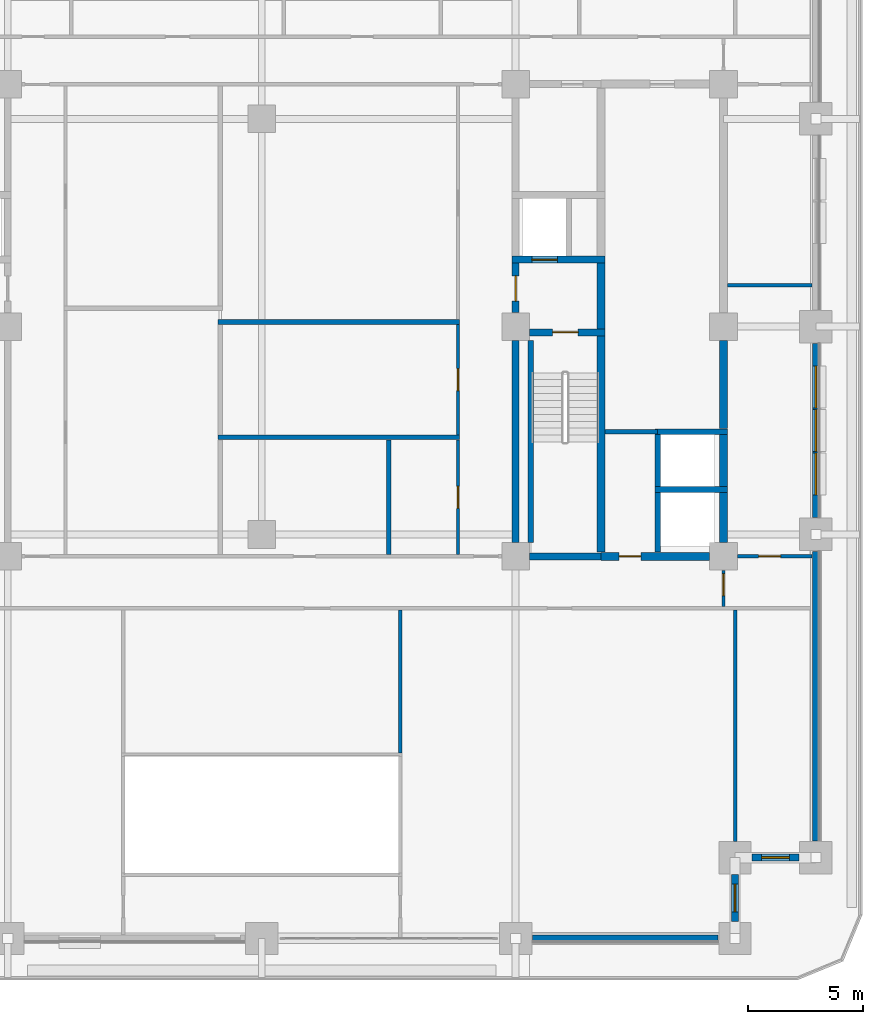
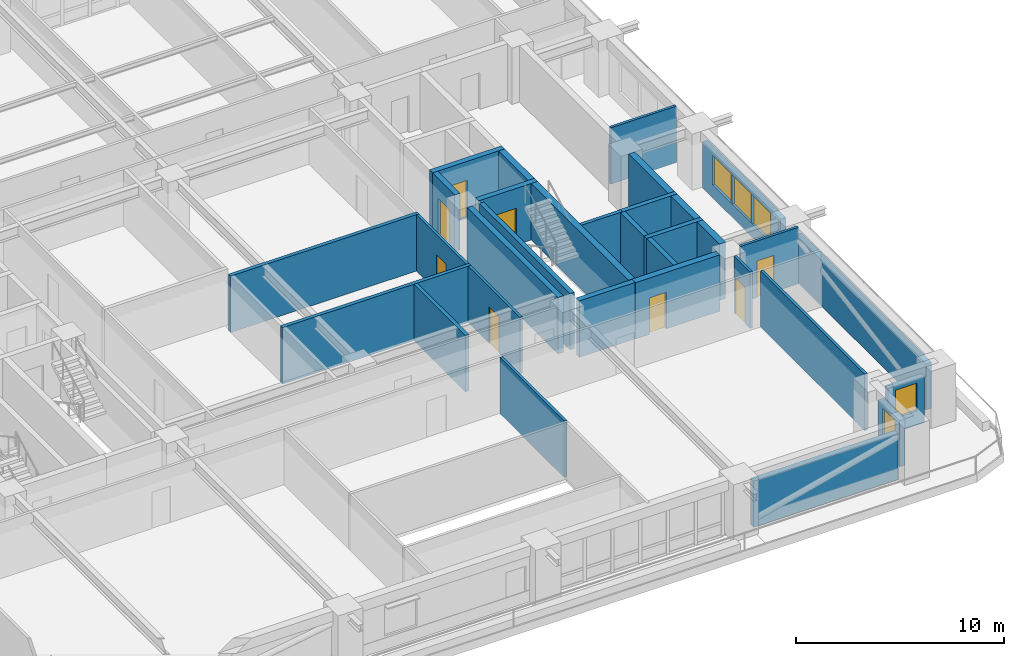
# One storey, part 9 of 20: 32 walls, 8 doors, 5 windows, 13 openings.
"""IFC4 building model written with IfcOpenShell, lengths in metres."""

import ifcopenshell
import ifcopenshell.guid

model = None  # the IFC model being written
_history = None  # IfcOwnerHistory: only IFC2X3 demands one
_inside = {}  # id of a spatial element -> (the spatial element, [elements in it])
_under = {}  # id of a project, library or spatial element -> (it, [spatial elements below it])
_declared = {}  # id of a project -> (the project, [libraries it declares])
_typed = {}  # id of a type object -> (the type object, [elements of that type])
_made_of = {}  # id of a material, layer set ... -> (it, [elements and type objects made of it])


def new_model(schema):
    """Start an empty IFC model of exactly this schema.

    Asked for "IFC4X3", IfcOpenShell would pick the latest addendum, in which some entities
    have other attributes; the version numbers below select the first issue.
    IFC2X3 requires an IfcOwnerHistory on every rooted entity: one is made here for all.
    """
    global model, _history
    if schema == "IFC4X3":
        model = ifcopenshell.file(schema_version=(4, 3, 0, 0))
    else:
        model = ifcopenshell.file(schema=schema)
    _inside.clear()
    _under.clear()
    _declared.clear()
    _typed.clear()
    _made_of.clear()
    _history = None
    if model.schema == "IFC2X3":
        org = make("IfcOrganization", Name="unknown")
        user = make(
            "IfcPersonAndOrganization",
            ThePerson=make("IfcPerson", FamilyName="unknown"),
            TheOrganization=org,
        )
        app = make(
            "IfcApplication",
            ApplicationDeveloper=org,
            Version="unknown",
            ApplicationFullName="unknown",
            ApplicationIdentifier="unknown",
        )
        _history = make(
            "IfcOwnerHistory",
            OwningUser=user,
            OwningApplication=app,
            ChangeAction="ADDED",
            CreationDate=0,
        )
    return model


def make(cls, **values):
    """One entity of the class cls with the attributes given. An attribute that is None is left unset."""
    return model.create_entity(
        cls, **{name: value for name, value in values.items() if value is not None}
    )


def rooted(cls, **values):
    """An entity with a GlobalId (a new one), such as an element, a storey or a relation."""
    return make(cls, GlobalId=ifcopenshell.guid.new(), OwnerHistory=_history, **values)


def si_unit(unit_type, name, prefix=None):
    """IfcSIUnit, for example si_unit("LENGTHUNIT", "METRE", prefix="MILLI")."""
    return make("IfcSIUnit", UnitType=unit_type, Prefix=prefix, Name=name)


def assignment(units):
    """IfcUnitAssignment: the units of a project."""
    return None if units is None else make("IfcUnitAssignment", Units=units)


def point(xyz):
    """IfcCartesianPoint."""
    return None if xyz is None else make("IfcCartesianPoint", Coordinates=xyz)


def direction(xyz):
    """IfcDirection."""
    return None if xyz is None else make("IfcDirection", DirectionRatios=xyz)


def frame(location, z_axis=None, x_axis=None):
    """IfcAxis2Placement3D, a coordinate frame: its origin and axes. An axis left out is left unset."""
    return make(
        "IfcAxis2Placement3D",
        Location=point(location),
        Axis=direction(z_axis),
        RefDirection=direction(x_axis),
    )


def frame_2d(location, x_axis=None):
    """IfcAxis2Placement2D, a coordinate frame in the plane: its origin and x axis."""
    return make(
        "IfcAxis2Placement2D", Location=point(location), RefDirection=direction(x_axis)
    )


def origin():
    """The frame at (0, 0, 0) with its axes left unset."""
    return frame((0.0, 0.0, 0.0))


def place(relative_to, where):
    """IfcLocalPlacement: puts the frame where relative to a parent placement (None: the world)."""
    return make(
        "IfcLocalPlacement", PlacementRelTo=relative_to, RelativePlacement=where
    )


def context(
    kind, dimensions, precision=None, world=None, true_north=None, identifier=None
):
    """IfcGeometricRepresentationContext, for example the 3D "Model" context."""
    return make(
        "IfcGeometricRepresentationContext",
        ContextIdentifier=identifier,
        ContextType=kind,
        CoordinateSpaceDimension=dimensions,
        Precision=precision,
        WorldCoordinateSystem=world,
        TrueNorth=true_north,
    )


def subcontext(parent, identifier, kind, view, scale=None):
    """IfcGeometricRepresentationSubContext, for example "Body" below "Model"."""
    return make(
        "IfcGeometricRepresentationSubContext",
        ContextIdentifier=identifier,
        ContextType=kind,
        ParentContext=parent,
        TargetScale=scale,
        TargetView=view,
    )


def project(units=None, contexts=None):
    """IfcProject with its units and contexts."""
    return rooted(
        "IfcProject",
        Name="project",
        RepresentationContexts=contexts,
        UnitsInContext=assignment(units),
    )


def spatial(cls, under=None, at=None, **own):
    """A site, building, storey or space (cls), placed at a placement, below another one or the project."""
    s = rooted(cls, ObjectPlacement=at, **own)
    if under is not None:
        _under.setdefault(under.id(), (under, []))[1].append(s)
    return s


def profile(cls, at=None, kind="AREA", **sizes):
    """A parametric profile (cls). Its sizes go by their IFC names, for example OverallWidth=200.0."""
    return make(cls, ProfileType=kind, Position=at, **sizes)


def rectangle(**sizes):
    """IfcRectangleProfileDef."""
    return profile("IfcRectangleProfileDef", **sizes)


def extrude(swept, where, along, depth):
    """IfcExtrudedAreaSolid: the profile swept, set in the frame where, extruded along a direction by depth."""
    return make(
        "IfcExtrudedAreaSolid",
        SweptArea=swept,
        Position=where,
        ExtrudedDirection=direction(along),
        Depth=depth,
    )


def shape(context_of_items, identifier, shape_type, items):
    """IfcShapeRepresentation: the items that make up one representation, for example the "Body"."""
    return make(
        "IfcShapeRepresentation",
        ContextOfItems=context_of_items,
        RepresentationIdentifier=identifier,
        RepresentationType=shape_type,
        Items=items,
    )


def material(Name=None, Category=None):
    """IfcMaterial."""
    return make("IfcMaterial", Name=Name, Category=Category)


def layer(
    of_material, thickness, ventilated=None, Name=None, Category=None, Priority=None
):
    """IfcMaterialLayer: one layer of a wall or slab, of a material (None: an air gap)."""
    return make(
        "IfcMaterialLayer",
        Material=of_material,
        LayerThickness=thickness,
        IsVentilated=ventilated,
        Name=Name,
        Category=Category,
        Priority=Priority,
    )


def layer_set(layers, Name=None):
    """IfcMaterialLayerSet."""
    return make("IfcMaterialLayerSet", MaterialLayers=layers, LayerSetName=Name)


def made_of(thing, what):
    """Note that an element or type object is made of a material, layer set ...; save() writes the relation."""
    if what is not None:
        _made_of.setdefault(what.id(), (what, []))[1].append(thing)
    return thing


def type_object(cls, material=None, **own):
    """A type object (cls), such as IfcWallType, which elements share."""
    return made_of(rooted(cls, **own), material)


def element(
    cls,
    number,
    at=None,
    inside=None,
    cuts=None,
    type_object=None,
    material=None,
    context=None,
    identifier="Body",
    shape_type=None,
    held_by="IfcProductDefinitionShape",
    body=None,
    shapes=None,
    **own,
):
    """One element of the class cls, such as IfcWall. Its Tag is "e" and its number.

    at: its placement. inside: the storey or other place that contains it. cuts: it is an
    opening in that element (IfcRelVoidsElement). A single representation is given by context,
    identifier, shape_type and body (its items); several are given by shapes. held_by: the class
    of the entity that holds the representations. save() writes the other relations.
    """
    e = rooted(cls, Tag="e%d" % number, ObjectPlacement=at, **own)
    if body is not None:
        shapes = [shape(context, identifier, shape_type, body)]
    if shapes is not None:
        e.Representation = make(held_by, Representations=shapes)
    if inside is not None:
        _inside.setdefault(inside.id(), (inside, []))[1].append(e)
    if cuts is not None:
        rooted(
            "IfcRelVoidsElement", RelatingBuildingElement=cuts, RelatedOpeningElement=e
        )
    if type_object is not None:
        _typed.setdefault(type_object.id(), (type_object, []))[1].append(e)
    return made_of(e, material)


def fill(opening, filler):
    """IfcRelFillsElement: the door or window that sits in an opening."""
    return rooted(
        "IfcRelFillsElement",
        RelatingOpeningElement=opening,
        RelatedBuildingElement=filler,
    )


def aggregate(whole, parts):
    """IfcRelAggregates: a whole, such as a stair, and the parts it consists of."""
    return rooted("IfcRelAggregates", RelatingObject=whole, RelatedObjects=parts)


def save(model, path):
    """Write the relations noted so far, then the file.

    IfcRelAggregates (storeys below a building ...), IfcRelContainedInSpatialStructure (elements
    in a storey), IfcRelDefinesByType, IfcRelAssociatesMaterial and IfcRelDeclares: one each for
    every whole, place, type object, material and project.
    """
    for whole, parts in _under.values():
        aggregate(whole, parts)
    for where, things in _inside.values():
        rooted(
            "IfcRelContainedInSpatialStructure",
            RelatedElements=things,
            RelatingStructure=where,
        )
    for kind, things in _typed.values():
        rooted("IfcRelDefinesByType", RelatedObjects=things, RelatingType=kind)
    for what, things in _made_of.values():
        rooted("IfcRelAssociatesMaterial", RelatedObjects=things, RelatingMaterial=what)
    for by, libraries in _declared.values():
        rooted("IfcRelDeclares", RelatingContext=by, RelatedDefinitions=libraries)
    model.write(path)


model = new_model("IFC4")

# Units and contexts
model_context = context("Model", 3, precision=1e-05, world=origin(), true_north=direction((0.0, 1.0)))
body_context = subcontext(model_context, "Body", "Model", "MODEL_VIEW")
ifc_project = project(units=[si_unit("LENGTHUNIT", "METRE"), si_unit("AREAUNIT", "SQUARE_METRE"), si_unit("VOLUMEUNIT", "CUBIC_METRE"), si_unit("PLANEANGLEUNIT", "RADIAN"), si_unit("MASSUNIT", "GRAM", prefix="KILO")], contexts=[model_context])

# Site, building, storey
site_placement = place(None, origin())
site = spatial("IfcSite", under=ifc_project, at=site_placement, CompositionType="ELEMENT")
building_placement = place(site_placement, origin())
building = spatial("IfcBuilding", under=site, at=building_placement, Name="Zulmaris Gate Convention Tower", CompositionType="ELEMENT")
storey_placement = place(building_placement, frame((0.0, 0.0, 75.0400390625)))
storey = spatial("IfcBuildingStorey", under=building, at=storey_placement, Name="L18", CompositionType="ELEMENT", Elevation=75.0400390625)

# Walls
ifc_material_1 = material(Name="Concrete C50/60", Category="concrete")
ifc_layer_1 = layer(ifc_material_1, 0.25, Name="Concrete C50/60")
ifc_layer_set_1 = layer_set([ifc_layer_1], Name="Concrete C50/60")
wall_type_1 = type_object("IfcWallType", Name="CORE-250", PredefinedType="SOLIDWALL", material=ifc_layer_set_1)
for number, where, z_axis, x_axis, name in (
    (1, (17.02490234375, -7.050048828125, 0.0), (0.0, 0.0, 1.0), (1.0, 0.0, 0.0), "WL-L18-005"),
    (2, (17.02490234375, -4.550048828125, 0.0), (0.0, 0.0, 1.0), (1.0, 0.0, 0.0), "WL-L18-006"),
):
    element("IfcWall", number, at=place(storey_placement, frame(where, z_axis=z_axis, x_axis=x_axis)), inside=storey, type_object=wall_type_1, Name=name, PredefinedType="SOLIDWALL", context=body_context, shape_type="SweptSolid", body=[
        extrude(rectangle(XDim=3.150146484375, YDim=0.25, at=frame_2d((1.5751953125, 0.0))), origin(), (0.0, 0.0, 1.0), 3.31982421875),
    ])
wall_1_placement = place(storey_placement, frame((11.64990234375, -9.345947265625, 0.0), z_axis=(0.0, 0.0, 1.0), x_axis=(0.0, 1.0, 0.0)))
element("IfcWall", 3, at=wall_1_placement, inside=storey, type_object=wall_type_1, Name="WL-L18-059", PredefinedType="SOLIDWALL", context=body_context, shape_type="SweptSolid", body=[
    extrude(rectangle(XDim=8.741943359375, YDim=0.25, at=frame_2d((4.37109375, 0.0))), origin(), (0.0, 0.0, 1.0), 3.31982421875),
])
wall_2_placement = place(storey_placement, frame((17.14990234375, -9.77294921875, 0.0), z_axis=(0.0, 0.0, 1.0), x_axis=(0.0, 1.0, 0.0)))
element("IfcWall", 4, at=wall_2_placement, inside=storey, type_object=wall_type_1, Name="WL-L18-065", PredefinedType="SOLIDWALL", context=body_context, shape_type="SweptSolid", body=[
    extrude(rectangle(XDim=2.595947265625, YDim=0.25, at=frame_2d((1.2978515625, 0.0))), origin(), (0.0, 0.0, 1.0), 3.31982421875),
])
wall_3_placement = place(storey_placement, frame((17.14990234375, -6.923095703125, 0.0), z_axis=(0.0, 0.0, 1.0), x_axis=(0.0, 1.0, 0.0)))
element("IfcWall", 5, at=wall_3_placement, inside=storey, type_object=wall_type_1, Name="WL-L18-066", PredefinedType="SOLIDWALL", context=body_context, shape_type="SweptSolid", body=[
    extrude(rectangle(XDim=2.24609375, YDim=0.25, at=frame_2d((1.123046875, 0.0))), origin(), (0.0, 0.0, 1.0), 3.31982421875),
])
ifc_layer_2 = layer(ifc_material_1, 0.300048828125, Name="Concrete C50/60")
ifc_layer_set_2 = layer_set([ifc_layer_2], Name="Concrete C50/60")
wall_type_2 = type_object("IfcWallType", Name="CORE-300", PredefinedType="SHEAR", material=ifc_layer_set_2)
wall_4_placement = place(storey_placement, frame((11.60400390625, -9.949951171875, 0.0), z_axis=(0.0, 0.0, 1.0), x_axis=(1.0, 0.0, 0.0)))
element("IfcWall", 6, at=wall_4_placement, inside=storey, type_object=wall_type_2, Name="WL-L18-003", PredefinedType="SHEAR", context=body_context, shape_type="SweptSolid", body=[
    extrude(rectangle(XDim=3.095947265625, YDim=0.300048828125, at=frame_2d((1.5478515625, 0.0))), origin(), (0.0, 0.0, 1.0), 3.31982421875),
])

# Wall, opening, door
wall_5_placement = place(storey_placement, frame((11.60400390625, -0.25, 0.0), z_axis=(0.0, 0.0, 1.0), x_axis=(1.0, 0.0, 0.0)))
wall_5 = element("IfcWall", 7, at=wall_5_placement, inside=storey, type_object=wall_type_2, Name="WL-L18-008", PredefinedType="SHEAR", context=body_context, shape_type="SweptSolid", body=[
    extrude(rectangle(XDim=3.27099609375, YDim=0.300048828125, at=frame_2d((1.635498046875, 0.0))), origin(), (0.0, 0.0, 1.0), 3.31982421875),
])
opening_1_placement = place(wall_5_placement, frame((0.99609375, 0.0, 0.0)))
opening_1 = element("IfcOpeningElement", 8, at=opening_1_placement, cuts=wall_5, Name="Opening D-08", PredefinedType="OPENING", context=body_context, shape_type="SweptSolid", body=[
    extrude(rectangle(XDim=1.10009765625, YDim=2.14990234375, at=frame_2d((0.550048828125, 1.074951171875))), frame((0.0, 0.16015625, 0.0), z_axis=(0.0, -1.0, 0.0), x_axis=(1.0, 0.0, 0.0)), (0.0, 0.0, 1.0), 0.320068359375),
])
ifc_material_2 = material(Name="Fire-Rated Steel", Category="steel")
door_type_1 = type_object("IfcDoorType", Name="DR-1100-FD", OperationType="NOTDEFINED", PredefinedType="DOOR", material=ifc_material_2)
door_1_placement = place(opening_1_placement, origin())
door_1 = element("IfcDoor", 9, at=door_1_placement, inside=storey, type_object=door_type_1, Name="L18 Exit Stair ST-2 Door 04", OperationType="SINGLE_SWING_LEFT", OverallHeight=2.14990234375, OverallWidth=1.10009765625, PredefinedType="DOOR", context=body_context, shape_type="SweptSolid", body=[
    extrude(rectangle(XDim=1.10009765625, YDim=2.14990234375, at=frame_2d((0.550048828125, 1.074951171875))), frame((0.0, 0.02490234375, 0.0), z_axis=(0.0, -1.0, 0.0), x_axis=(1.0, 0.0, 0.0)), (0.0, 0.0, 1.0), 0.050048828125),
])
fill(opening_1, door_1)

wall_6_placement = place(storey_placement, frame((10.85009765625, 2.89990234375, 0.0), z_axis=(0.0, 0.0, 1.0), x_axis=(1.0, 0.0, 0.0)))
wall_6 = element("IfcWall", 10, at=wall_6_placement, inside=storey, type_object=wall_type_2, Name="WL-L18-011", PredefinedType="SHEAR", context=body_context, shape_type="SweptSolid", body=[
    extrude(rectangle(XDim=4.02490234375, YDim=0.300048828125, at=frame_2d((2.012451171875, 0.0))), origin(), (0.0, 0.0, 1.0), 3.31982421875),
])
opening_2_placement = place(wall_6_placement, frame((0.85009765625, 0.0, 0.0)))
opening_2 = element("IfcOpeningElement", 11, at=opening_2_placement, cuts=wall_6, Name="Opening D-06", PredefinedType="OPENING", context=body_context, shape_type="SweptSolid", body=[
    extrude(rectangle(XDim=1.10009765625, YDim=2.199951171875, at=frame_2d((0.550048828125, 1.10009765625))), frame((0.0, 0.16015625, 0.0), z_axis=(0.0, -1.0, 0.0), x_axis=(1.0, 0.0, 0.0)), (0.0, 0.0, 1.0), 0.320068359375),
])
ifc_material_3 = material(Name="Brushed Stainless Steel", Category="steel")
door_type_2 = type_object("IfcDoorType", Name="LD-1100", OperationType="NOTDEFINED", PredefinedType="DOOR", material=ifc_material_3)
door_2_placement = place(opening_2_placement, origin())
door_2 = element("IfcDoor", 12, at=door_2_placement, inside=storey, type_object=door_type_2, Name="L18 Lift Landing Door LF-02 06", OperationType="SLIDING_TO_RIGHT", OverallHeight=2.199951171875, OverallWidth=1.10009765625, PredefinedType="DOOR", context=body_context, shape_type="SweptSolid", body=[
    extrude(rectangle(XDim=1.10009765625, YDim=2.199951171875, at=frame_2d((0.550048828125, 1.10009765625))), frame((0.0, 0.02490234375, 0.0), z_axis=(0.0, -1.0, 0.0), x_axis=(1.0, 0.0, 0.0)), (0.0, 0.0, 1.0), 0.050048828125),
])
fill(opening_2, door_2)

# Wall
wall_7_placement = place(storey_placement, frame((11.0, -9.345947265625, 0.0), z_axis=(0.0, 0.0, 1.0), x_axis=(0.0, 1.0, 0.0)))
element("IfcWall", 13, at=wall_7_placement, inside=storey, type_object=wall_type_2, Name="WL-L18-055", PredefinedType="SHEAR", context=body_context, shape_type="SweptSolid", body=[
    extrude(rectangle(XDim=8.741943359375, YDim=0.300048828125, at=frame_2d((4.37109375, 0.0))), origin(), (0.0, 0.0, 1.0), 3.31982421875),
])

# Wall, opening, door
wall_8_placement = place(storey_placement, frame((11.0, 0.60400390625, 0.0), z_axis=(0.0, 0.0, 1.0), x_axis=(0.0, 1.0, 0.0)))
wall_8 = element("IfcWall", 14, at=wall_8_placement, inside=storey, type_object=wall_type_2, Name="WL-L18-056", PredefinedType="SHEAR", context=body_context, shape_type="SweptSolid", body=[
    extrude(rectangle(XDim=2.14404296875, YDim=0.300048828125, at=frame_2d((1.072021484375, 0.0))), origin(), (0.0, 0.0, 1.0), 3.31982421875),
])
opening_3_placement = place(wall_8_placement, frame((0.49609375, 0.0, 0.0)))
opening_3 = element("IfcOpeningElement", 15, at=opening_3_placement, cuts=wall_8, Name="Opening D-08", PredefinedType="OPENING", context=body_context, shape_type="SweptSolid", body=[
    extrude(rectangle(XDim=1.10009765625, YDim=2.14990234375, at=frame_2d((0.550048828125, 1.074951171875))), frame((0.0, 0.16015625, 0.0), z_axis=(0.0, -1.0, 0.0), x_axis=(1.0, 0.0, 0.0)), (0.0, 0.0, 1.0), 0.320068359375),
])
door_3_placement = place(opening_3_placement, origin())
door_3 = element("IfcDoor", 16, at=door_3_placement, inside=storey, type_object=door_type_1, Name="L18 East Firefighting Lobby Door 05", OperationType="SINGLE_SWING_RIGHT", OverallHeight=2.14990234375, OverallWidth=1.10009765625, PredefinedType="DOOR", context=body_context, shape_type="SweptSolid", body=[
    extrude(rectangle(XDim=1.10009765625, YDim=2.14990234375, at=frame_2d((0.550048828125, 1.074951171875))), frame((0.0, 0.02490234375, 0.0), z_axis=(0.0, -1.0, 0.0), x_axis=(1.0, 0.0, 0.0)), (0.0, 0.0, 1.0), 0.050048828125),
])
fill(opening_3, door_3)

ifc_material_4 = material(Name="Concrete C55/67", Category="concrete")
ifc_layer_3 = layer(ifc_material_4, 0.35009765625, Name="Concrete C55/67")
ifc_layer_set_3 = layer_set([ifc_layer_3], Name="Concrete C55/67")
wall_type_3 = type_object("IfcWallType", Name="CORE-350", PredefinedType="SHEAR", material=ifc_layer_set_3)
wall_9_placement = place(storey_placement, frame((14.699951171875, -9.949951171875, 0.0), z_axis=(0.0, 0.0, 1.0), x_axis=(1.0, 0.0, 0.0)))
wall_9 = element("IfcWall", 17, at=wall_9_placement, inside=storey, type_object=wall_type_3, Name="WL-L18-004", PredefinedType="SHEAR", context=body_context, shape_type="SweptSolid", body=[
    extrude(rectangle(XDim=4.696044921875, YDim=0.35009765625, at=frame_2d((2.34814453125, 0.0))), origin(), (0.0, 0.0, 1.0), 3.31982421875),
])
opening_4_placement = place(wall_9_placement, frame((0.77490234375, 0.0, 0.0)))
opening_4 = element("IfcOpeningElement", 18, at=opening_4_placement, cuts=wall_9, Name="Opening D-11", PredefinedType="OPENING", context=body_context, shape_type="SweptSolid", body=[
    extrude(rectangle(XDim=0.949951171875, YDim=2.14990234375, at=frame_2d((0.47509765625, 1.074951171875))), frame((0.0, 0.18505859375, 0.0), z_axis=(0.0, -1.0, 0.0), x_axis=(1.0, 0.0, 0.0)), (0.0, 0.0, 1.0), 0.3701171875),
])
ifc_material_5 = material(Name="Fire-Rated Timber", Category="wood")
door_type_3 = type_object("IfcDoorType", Name="DR-950-FD", OperationType="NOTDEFINED", PredefinedType="DOOR", material=ifc_material_5)
door_4_placement = place(opening_4_placement, origin())
door_4 = element("IfcDoor", 19, at=door_4_placement, inside=storey, type_object=door_type_3, Name="L18 East Cleaners Store Door 15", OperationType="SINGLE_SWING_LEFT", OverallHeight=2.14990234375, OverallWidth=0.949951171875, PredefinedType="DOOR", context=body_context, shape_type="SweptSolid", body=[
    extrude(rectangle(XDim=0.949951171875, YDim=2.14990234375, at=frame_2d((0.47509765625, 1.074951171875))), frame((0.0, 0.02490234375, 0.0), z_axis=(0.0, -1.0, 0.0), x_axis=(1.0, 0.0, 0.0)), (0.0, 0.0, 1.0), 0.050048828125),
])
fill(opening_4, door_4)

# Walls
wall_10_placement = place(storey_placement, frame((14.699951171875, -9.77294921875, 0.0), z_axis=(0.0, 0.0, 1.0), x_axis=(0.0, 1.0, 0.0)))
element("IfcWall", 20, at=wall_10_placement, inside=storey, type_object=wall_type_3, Name="WL-L18-061", PredefinedType="SHEAR", context=body_context, shape_type="SweptSolid", body=[
    extrude(rectangle(XDim=9.370849609375, YDim=0.35009765625, at=frame_2d((4.685546875, 0.0))), origin(), (0.0, 0.0, 1.0), 3.31982421875),
])
wall_11_placement = place(storey_placement, frame((14.699951171875, -0.097900390625, 0.0), z_axis=(0.0, 0.0, 1.0), x_axis=(0.0, 1.0, 0.0)))
element("IfcWall", 21, at=wall_11_placement, inside=storey, type_object=wall_type_3, Name="WL-L18-062", PredefinedType="SHEAR", context=body_context, shape_type="SweptSolid", body=[
    extrude(rectangle(XDim=2.845947265625, YDim=0.35009765625, at=frame_2d((1.4228515625, 0.0))), origin(), (0.0, 0.0, 1.0), 3.31982421875),
])
wall_12_placement = place(storey_placement, frame((20.0, -9.345947265625, 0.0), z_axis=(0.0, 0.0, 1.0), x_axis=(0.0, 1.0, 0.0)))
element("IfcWall", 22, at=wall_12_placement, inside=storey, type_object=wall_type_3, Name="WL-L18-067", PredefinedType="SHEAR", context=body_context, shape_type="SweptSolid", body=[
    extrude(rectangle(XDim=2.1689453125, YDim=0.35009765625, at=frame_2d((1.08447265625, 0.0))), origin(), (0.0, 0.0, 1.0), 3.31982421875),
])
wall_13_placement = place(storey_placement, frame((20.0, -6.923095703125, 0.0), z_axis=(0.0, 0.0, 1.0), x_axis=(0.0, 1.0, 0.0)))
element("IfcWall", 23, at=wall_13_placement, inside=storey, type_object=wall_type_3, Name="WL-L18-068", PredefinedType="SHEAR", context=body_context, shape_type="SweptSolid", body=[
    extrude(rectangle(XDim=2.24609375, YDim=0.35009765625, at=frame_2d((1.123046875, 0.0))), origin(), (0.0, 0.0, 1.0), 3.31982421875),
])
wall_14_placement = place(storey_placement, frame((20.0, -4.423095703125, 0.0), z_axis=(0.0, 0.0, 1.0), x_axis=(0.0, 1.0, 0.0)))
element("IfcWall", 24, at=wall_14_placement, inside=storey, type_object=wall_type_3, Name="WL-L18-069", PredefinedType="SHEAR", context=body_context, shape_type="SweptSolid", body=[
    extrude(rectangle(XDim=3.819091796875, YDim=0.35009765625, at=frame_2d((1.90966796875, 0.0))), origin(), (0.0, 0.0, 1.0), 3.31982421875),
])

# Wall, opening, door
ifc_material_6 = material(Name="Gypsum Metal Stud Partition")
ifc_layer_4 = layer(ifc_material_6, 0.14990234375, Name="Gypsum Metal Stud Partition")
ifc_layer_set_4 = layer_set([ifc_layer_4], Name="Gypsum Metal Stud Partition")
wall_type_4 = type_object("IfcWallType", Name="PART-150", PredefinedType="PARTITIONING", material=ifc_layer_set_4)
wall_15_placement = place(storey_placement, frame((20.60595703125, -9.949951171875, 0.0), z_axis=(0.0, 0.0, 1.0), x_axis=(1.0, 0.0, 0.0)))
wall_15 = element("IfcWall", 25, at=wall_15_placement, inside=storey, type_object=wall_type_4, Name="WL-L18-025", PredefinedType="PARTITIONING", context=body_context, shape_type="SweptSolid", body=[
    extrude(rectangle(XDim=3.22900390625, YDim=0.14990234375, at=frame_2d((1.614501953125, 0.0))), origin(), (0.0, 0.0, 1.0), 3.31982421875),
])
opening_5_placement = place(wall_15_placement, frame((0.9189453125, 0.0, 0.0)))
opening_5 = element("IfcOpeningElement", 26, at=opening_5_placement, cuts=wall_15, Name="Opening D-11", PredefinedType="OPENING", context=body_context, shape_type="SweptSolid", body=[
    extrude(rectangle(XDim=0.949951171875, YDim=2.14990234375, at=frame_2d((0.47509765625, 1.074951171875))), frame((0.0, 0.0849609375, 0.0), z_axis=(0.0, -1.0, 0.0), x_axis=(1.0, 0.0, 0.0)), (0.0, 0.0, 1.0), 0.169921875),
])
door_5_placement = place(opening_5_placement, origin())
door_5 = element("IfcDoor", 27, at=door_5_placement, inside=storey, type_object=door_type_3, Name="L18 SE Partner Door 45", OperationType="SINGLE_SWING_LEFT", OverallHeight=2.14990234375, OverallWidth=0.949951171875, PredefinedType="DOOR", context=body_context, shape_type="SweptSolid", body=[
    extrude(rectangle(XDim=0.949951171875, YDim=2.14990234375, at=frame_2d((0.47509765625, 1.074951171875))), frame((0.0, 0.02490234375, 0.0), z_axis=(0.0, -1.0, 0.0), x_axis=(1.0, 0.0, 0.0)), (0.0, 0.0, 1.0), 0.050048828125),
])
fill(opening_5, door_5)

# Walls
wall_16_placement = place(storey_placement, frame((20.177978515625, 1.800048828125, 0.0), z_axis=(0.0, 0.0, 1.0), x_axis=(1.0, 0.0, 0.0)))
element("IfcWall", 28, at=wall_16_placement, inside=storey, type_object=wall_type_4, Name="WL-L18-030", PredefinedType="PARTITIONING", context=body_context, shape_type="SweptSolid", body=[
    extrude(rectangle(XDim=3.656982421875, YDim=0.14990234375, at=frame_2d((1.82861328125, 0.0))), origin(), (0.0, 0.0, 1.0), 3.31982421875),
])
wall_17_placement = place(storey_placement, frame((6.0, -18.471923828125, 0.0), z_axis=(0.0, 0.0, 1.0), x_axis=(0.0, 1.0, 0.0)))
element("IfcWall", 29, at=wall_17_placement, inside=storey, type_object=wall_type_4, Name="WL-L18-089", PredefinedType="PARTITIONING", context=body_context, shape_type="SweptSolid", body=[
    extrude(rectangle(XDim=6.19384765625, YDim=0.14990234375, at=frame_2d((3.096923828125, 0.0))), origin(), (0.0, 0.0, 1.0), 3.31982421875),
])

# Wall, opening, door
wall_18_placement = place(storey_placement, frame((8.5, -9.8720703125, 0.0), z_axis=(0.0, 0.0, 1.0), x_axis=(0.0, 1.0, 0.0)))
wall_18 = element("IfcWall", 30, at=wall_18_placement, inside=storey, type_object=wall_type_4, Name="WL-L18-091", PredefinedType="PARTITIONING", context=body_context, shape_type="SweptSolid", body=[
    extrude(rectangle(XDim=4.968994140625, YDim=0.14990234375, at=frame_2d((2.484375, 0.0))), origin(), (0.0, 0.0, 1.0), 3.31982421875),
])
opening_6_placement = place(wall_18_placement, frame((1.9970703125, 0.0, 0.0)))
opening_6 = element("IfcOpeningElement", 31, at=opening_6_placement, cuts=wall_18, Name="Opening D-11", PredefinedType="OPENING", context=body_context, shape_type="SweptSolid", body=[
    extrude(rectangle(XDim=0.949951171875, YDim=2.14990234375, at=frame_2d((0.47509765625, 1.074951171875))), frame((0.0, 0.0849609375, 0.0), z_axis=(0.0, -1.0, 0.0), x_axis=(1.0, 0.0, 0.0)), (0.0, 0.0, 1.0), 0.169921875),
])
door_6_placement = place(opening_6_placement, origin())
door_6 = element("IfcDoor", 32, at=door_6_placement, inside=storey, type_object=door_type_3, Name="L18 Accessible WC Door 36", OperationType="SINGLE_SWING_RIGHT", OverallHeight=2.14990234375, OverallWidth=0.949951171875, PredefinedType="DOOR", context=body_context, shape_type="SweptSolid", body=[
    extrude(rectangle(XDim=0.949951171875, YDim=2.14990234375, at=frame_2d((0.47509765625, 1.074951171875))), frame((0.0, 0.02490234375, 0.0), z_axis=(0.0, -1.0, 0.0), x_axis=(1.0, 0.0, 0.0)), (0.0, 0.0, 1.0), 0.050048828125),
])
fill(opening_6, door_6)

wall_19_placement = place(storey_placement, frame((8.5, -4.697021484375, 0.0), z_axis=(0.0, 0.0, 1.0), x_axis=(0.0, 1.0, 0.0)))
wall_19 = element("IfcWall", 33, at=wall_19_placement, inside=storey, type_object=wall_type_4, Name="WL-L18-092", PredefinedType="PARTITIONING", context=body_context, shape_type="SweptSolid", body=[
    extrude(rectangle(XDim=4.7939453125, YDim=0.14990234375, at=frame_2d((2.39697265625, 0.0))), origin(), (0.0, 0.0, 1.0), 3.31982421875),
])
opening_7_placement = place(wall_19_placement, frame((1.922119140625, 0.0, 0.0)))
opening_7 = element("IfcOpeningElement", 34, at=opening_7_placement, cuts=wall_19, Name="Opening D-11", PredefinedType="OPENING", context=body_context, shape_type="SweptSolid", body=[
    extrude(rectangle(XDim=0.949951171875, YDim=2.14990234375, at=frame_2d((0.47509765625, 1.074951171875))), frame((0.0, 0.0849609375, 0.0), z_axis=(0.0, -1.0, 0.0), x_axis=(1.0, 0.0, 0.0)), (0.0, 0.0, 1.0), 0.169921875),
])
door_7_placement = place(opening_7_placement, origin())
door_7 = element("IfcDoor", 35, at=door_7_placement, inside=storey, type_object=door_type_3, Name="L18 Public WC Door 35", OperationType="SINGLE_SWING_LEFT", OverallHeight=2.14990234375, OverallWidth=0.949951171875, PredefinedType="DOOR", context=body_context, shape_type="SweptSolid", body=[
    extrude(rectangle(XDim=0.949951171875, YDim=2.14990234375, at=frame_2d((0.47509765625, 1.074951171875))), frame((0.0, 0.02490234375, 0.0), z_axis=(0.0, -1.0, 0.0), x_axis=(1.0, 0.0, 0.0)), (0.0, 0.0, 1.0), 0.050048828125),
])
fill(opening_7, door_7)

wall_20_placement = place(storey_placement, frame((20.0, -12.1220703125, 0.0), z_axis=(0.0, 0.0, 1.0), x_axis=(0.0, 1.0, 0.0)))
wall_20 = element("IfcWall", 36, at=wall_20_placement, inside=storey, type_object=wall_type_4, Name="WL-L18-095", PredefinedType="PARTITIONING", context=body_context, shape_type="SweptSolid", body=[
    extrude(rectangle(XDim=1.566162109375, YDim=0.14990234375, at=frame_2d((0.783203125, 0.0))), origin(), (0.0, 0.0, 1.0), 3.31982421875),
])
opening_8_placement = place(wall_20_placement, frame((0.466064453125, 0.0, 0.0)))
opening_8 = element("IfcOpeningElement", 37, at=opening_8_placement, cuts=wall_20, Name="Opening D-11", PredefinedType="OPENING", context=body_context, shape_type="SweptSolid", body=[
    extrude(rectangle(XDim=0.949951171875, YDim=2.14990234375, at=frame_2d((0.47509765625, 1.074951171875))), frame((0.0, 0.0849609375, 0.0), z_axis=(0.0, -1.0, 0.0), x_axis=(1.0, 0.0, 0.0)), (0.0, 0.0, 1.0), 0.169921875),
])
door_8_placement = place(opening_8_placement, origin())
door_8 = element("IfcDoor", 38, at=door_8_placement, inside=storey, type_object=door_type_3, Name="L18 SE Spur Door 43", OperationType="SINGLE_SWING_LEFT", OverallHeight=2.14990234375, OverallWidth=0.949951171875, PredefinedType="DOOR", context=body_context, shape_type="SweptSolid", body=[
    extrude(rectangle(XDim=0.949951171875, YDim=2.14990234375, at=frame_2d((0.47509765625, 1.074951171875))), frame((0.0, 0.02490234375, 0.0), z_axis=(0.0, -1.0, 0.0), x_axis=(1.0, 0.0, 0.0)), (0.0, 0.0, 1.0), 0.050048828125),
])
fill(opening_8, door_8)

# Walls
wall_21_placement = place(storey_placement, frame((20.5, -22.2939453125, 0.0), z_axis=(0.0, 0.0, 1.0), x_axis=(0.0, 1.0, 0.0)))
element("IfcWall", 39, at=wall_21_placement, inside=storey, type_object=wall_type_4, Name="WL-L18-097", PredefinedType="PARTITIONING", context=body_context, shape_type="SweptSolid", body=[
    extrude(rectangle(XDim=10.015869140625, YDim=0.14990234375, at=frame_2d((5.0078125, 0.0))), origin(), (0.0, 0.0, 1.0), 3.31982421875),
])
ifc_material_7 = material(Name="Autoclaved Aerated Concrete Block and Plasterboard", Category="concrete")
ifc_layer_5 = layer(ifc_material_7, 0.199951171875, Name="Autoclaved Aerated Concrete Block and Plasterboard")
ifc_layer_set_5 = layer_set([ifc_layer_5], Name="Autoclaved Aerated Concrete Block and Plasterboard")
wall_type_5 = type_object("IfcWallType", Name="PART-200", PredefinedType="PARTITIONING", material=ifc_layer_set_5)
wall_22_placement = place(storey_placement, frame((-1.89990234375, -4.800048828125, 0.0), z_axis=(0.0, 0.0, 1.0), x_axis=(1.0, 0.0, 0.0)))
element("IfcWall", 40, at=wall_22_placement, inside=storey, type_object=wall_type_5, Name="WL-L18-026", PredefinedType="PARTITIONING", context=body_context, shape_type="SweptSolid", body=[
    extrude(rectangle(XDim=10.474853515625, YDim=0.199951171875, at=frame_2d((5.2373046875, 0.0))), origin(), (0.0, 0.0, 1.0), 3.31982421875),
])
wall_23_placement = place(storey_placement, frame((14.8779296875, -4.550048828125, 0.0), z_axis=(0.0, 0.0, 1.0), x_axis=(1.0, 0.0, 0.0)))
element("IfcWall", 41, at=wall_23_placement, inside=storey, type_object=wall_type_5, Name="WL-L18-027", PredefinedType="PARTITIONING", context=body_context, shape_type="SweptSolid", body=[
    extrude(rectangle(XDim=2.27197265625, YDim=0.199951171875, at=frame_2d((1.135986328125, 0.0))), origin(), (0.0, 0.0, 1.0), 3.31982421875),
])
wall_24_placement = place(storey_placement, frame((-1.89990234375, 0.199951171875, 0.0), z_axis=(0.0, 0.0, 1.0), x_axis=(1.0, 0.0, 0.0)))
element("IfcWall", 42, at=wall_24_placement, inside=storey, type_object=wall_type_5, Name="WL-L18-028", PredefinedType="PARTITIONING", context=body_context, shape_type="SweptSolid", body=[
    extrude(rectangle(XDim=10.474853515625, YDim=0.199951171875, at=frame_2d((5.2373046875, 0.0))), origin(), (0.0, 0.0, 1.0), 3.31982421875),
])
wall_25_placement = place(storey_placement, frame((5.5, -9.8720703125, 0.0), z_axis=(0.0, 0.0, 1.0), x_axis=(0.0, 1.0, 0.0)))
element("IfcWall", 43, at=wall_25_placement, inside=storey, type_object=wall_type_5, Name="WL-L18-086", PredefinedType="PARTITIONING", context=body_context, shape_type="SweptSolid", body=[
    extrude(rectangle(XDim=4.968994140625, YDim=0.199951171875, at=frame_2d((2.484375, 0.0))), origin(), (0.0, 0.0, 1.0), 3.31982421875),
])

# Wall, opening, window
ifc_material_8 = material(Name="Precast concrete C40/50", Category="concrete")
ifc_layer_6 = layer(ifc_material_8, 0.300048828125, Name="Precast concrete C40/50")
ifc_layer_set_6 = layer_set([ifc_layer_6], Name="Precast concrete C40/50")
wall_type_6 = type_object("IfcWallType", Name="PRECAST-PIER-300", PredefinedType="STANDARD", material=ifc_layer_set_6)
wall_26_placement = place(storey_placement, frame((20.5, -25.77001953125, 0.0), z_axis=(0.0, 0.0, 1.0), x_axis=(0.0, 1.0, 0.0)))
wall_26 = element("IfcWall", 44, at=wall_26_placement, inside=storey, type_object=wall_type_6, Name="EW-L18-NOTCH-SE1_0", PredefinedType="STANDARD", context=body_context, shape_type="SweptSolid", body=[
    extrude(rectangle(XDim=2.0400390625, YDim=0.300048828125, at=frame_2d((1.02001953125, 0.0))), origin(), (0.0, 0.0, 1.0), 2.7119140625),
])
opening_9_placement = place(wall_26_placement, frame((0.419921875, 0.0, 0.820068359375)))
opening_9 = element("IfcOpeningElement", 45, at=opening_9_placement, cuts=wall_26, Name="Opening W-04", PredefinedType="OPENING", context=body_context, shape_type="SweptSolid", body=[
    extrude(rectangle(XDim=1.199951171875, YDim=1.64990234375, at=frame_2d((0.60009765625, 0.824951171875))), frame((0.0, 0.16015625, 0.0), z_axis=(0.0, -1.0, 0.0), x_axis=(1.0, 0.0, 0.0)), (0.0, 0.0, 1.0), 0.320068359375),
])
ifc_material_9 = material(Name="Low-E Laminated Double Glazing in Aluminium Frame", Category="aluminium")
window_type_1 = type_object("IfcWindowType", Name="WIN-1200x2100", PartitioningType="SINGLE_PANEL", PredefinedType="WINDOW", material=ifc_material_9)
window_1_placement = place(opening_9_placement, origin())
window_1 = element("IfcWindow", 46, at=window_1_placement, inside=storey, type_object=window_type_1, Name="WN-EW-L18-NOTCH-SE1_0", OverallHeight=1.64990234375, OverallWidth=1.199951171875, PartitioningType="SINGLE_PANEL", PredefinedType="WINDOW", context=body_context, shape_type="SweptSolid", body=[
    extrude(rectangle(XDim=1.199951171875, YDim=1.64990234375, at=frame_2d((0.60009765625, 0.824951171875))), frame((0.0, 0.030029296875, 0.0), z_axis=(0.0, -1.0, 0.0), x_axis=(1.0, 0.0, 0.0)), (0.0, 0.0, 1.0), 0.06005859375),
])
fill(opening_9, window_1)

wall_27_placement = place(storey_placement, frame((21.22998046875, -23.0, 0.0), z_axis=(0.0, 0.0, 1.0), x_axis=(1.0, 0.0, 0.0)))
wall_27 = element("IfcWall", 47, at=wall_27_placement, inside=storey, type_object=wall_type_6, Name="EW-L18-NOTCH-SE2_0", PredefinedType="STANDARD", context=body_context, shape_type="SweptSolid", body=[
    extrude(rectangle(XDim=2.0400390625, YDim=0.300048828125, at=frame_2d((1.02001953125, 0.0))), origin(), (0.0, 0.0, 1.0), 2.7119140625),
])
opening_10_placement = place(wall_27_placement, frame((0.419921875, 0.0, 0.820068359375)))
opening_10 = element("IfcOpeningElement", 48, at=opening_10_placement, cuts=wall_27, Name="Opening W-04", PredefinedType="OPENING", context=body_context, shape_type="SweptSolid", body=[
    extrude(rectangle(XDim=1.199951171875, YDim=1.64990234375, at=frame_2d((0.60009765625, 0.824951171875))), frame((0.0, 0.16015625, 0.0), z_axis=(0.0, -1.0, 0.0), x_axis=(1.0, 0.0, 0.0)), (0.0, 0.0, 1.0), 0.320068359375),
])
window_2_placement = place(opening_10_placement, origin())
window_2 = element("IfcWindow", 49, at=window_2_placement, inside=storey, type_object=window_type_1, Name="WN-EW-L18-NOTCH-SE2_0", OverallHeight=1.64990234375, OverallWidth=1.199951171875, PartitioningType="SINGLE_PANEL", PredefinedType="WINDOW", context=body_context, shape_type="SweptSolid", body=[
    extrude(rectangle(XDim=1.199951171875, YDim=1.64990234375, at=frame_2d((0.60009765625, 0.824951171875))), frame((0.0, 0.030029296875, 0.0), z_axis=(0.0, -1.0, 0.0), x_axis=(1.0, 0.0, 0.0)), (0.0, 0.0, 1.0), 0.06005859375),
])
fill(opening_10, window_2)

# Walls
wall_28_placement = place(storey_placement, frame((11.72998046875, -26.5, 0.0), z_axis=(0.0, 0.0, 1.0), x_axis=(1.0, 0.0, 0.0)))
element("IfcWall", 50, at=wall_28_placement, inside=storey, type_object=wall_type_6, Name="EW-L18-S-3_0", PredefinedType="STANDARD", context=body_context, shape_type="SweptSolid", body=[
    extrude(rectangle(XDim=8.0400390625, YDim=0.300048828125, at=frame_2d((4.02001953125, 0.0))), origin(), (0.0, 0.0, 1.0), 2.7119140625),
])
wall_29_placement = place(storey_placement, frame((24.0, -22.27001953125, 0.0), z_axis=(0.0, 0.0, 1.0), x_axis=(0.0, 1.0, 0.0)))
element("IfcWall", 51, at=wall_29_placement, inside=storey, type_object=wall_type_6, Name="EW-L18-E-0_0", PredefinedType="STANDARD", context=body_context, shape_type="SweptSolid", body=[
    extrude(rectangle(XDim=12.5400390625, YDim=0.300048828125, at=frame_2d((6.27001953125, 0.0))), origin(), (0.0, 0.0, 1.0), 2.7119140625),
])

# Wall, openings, windows
wall_30_placement = place(storey_placement, frame((24.0, -8.27001953125, 0.0), z_axis=(0.0, 0.0, 1.0), x_axis=(0.0, 1.0, 0.0)))
wall_30 = element("IfcWall", 52, at=wall_30_placement, inside=storey, type_object=wall_type_6, Name="EW-L18-E-1_0", PredefinedType="STANDARD", context=body_context, shape_type="SweptSolid", body=[
    extrude(rectangle(XDim=7.5400390625, YDim=0.300048828125, at=frame_2d((3.77001953125, 0.0))), origin(), (0.0, 0.0, 1.0), 2.7119140625),
])
opening_11_placement = place(wall_30_placement, frame((0.985107421875, 0.0, 0.780029296875)))
opening_11 = element("IfcOpeningElement", 53, at=opening_11_placement, cuts=wall_30, Name="Opening W-02", PredefinedType="OPENING", context=body_context, shape_type="SweptSolid", body=[
    extrude(rectangle(XDim=1.800048828125, YDim=1.719970703125, at=frame_2d((0.89990234375, 0.85986328125))), frame((0.0, 0.16015625, 0.0), z_axis=(0.0, -1.0, 0.0), x_axis=(1.0, 0.0, 0.0)), (0.0, 0.0, 1.0), 0.320068359375),
])
opening_12_placement = place(wall_30_placement, frame((2.8701171875, 0.0, 0.780029296875)))
opening_12 = element("IfcOpeningElement", 54, at=opening_12_placement, cuts=wall_30, Name="Opening W-02", PredefinedType="OPENING", context=body_context, shape_type="SweptSolid", body=[
    extrude(rectangle(XDim=1.800048828125, YDim=1.719970703125, at=frame_2d((0.89990234375, 0.85986328125))), frame((0.0, 0.16015625, 0.0), z_axis=(0.0, -1.0, 0.0), x_axis=(1.0, 0.0, 0.0)), (0.0, 0.0, 1.0), 0.320068359375),
])
opening_13_placement = place(wall_30_placement, frame((4.7548828125, 0.0, 0.780029296875)))
opening_13 = element("IfcOpeningElement", 55, at=opening_13_placement, cuts=wall_30, Name="Opening W-02", PredefinedType="OPENING", context=body_context, shape_type="SweptSolid", body=[
    extrude(rectangle(XDim=1.800048828125, YDim=1.719970703125, at=frame_2d((0.89990234375, 0.85986328125))), frame((0.0, 0.16015625, 0.0), z_axis=(0.0, -1.0, 0.0), x_axis=(1.0, 0.0, 0.0)), (0.0, 0.0, 1.0), 0.320068359375),
])
window_type_2 = type_object("IfcWindowType", Name="WIN-1800x2200", PartitioningType="SINGLE_PANEL", PredefinedType="WINDOW", material=ifc_material_9)
window_3_placement = place(opening_11_placement, origin())
window_3 = element("IfcWindow", 56, at=window_3_placement, inside=storey, type_object=window_type_2, Name="WN-EW-L18-E-1_0-1", OverallHeight=1.719970703125, OverallWidth=1.800048828125, PartitioningType="SINGLE_PANEL", PredefinedType="WINDOW", context=body_context, shape_type="SweptSolid", body=[
    extrude(rectangle(XDim=1.800048828125, YDim=1.719970703125, at=frame_2d((0.89990234375, 0.85986328125))), frame((0.0, 0.030029296875, 0.0), z_axis=(0.0, -1.0, 0.0), x_axis=(1.0, 0.0, 0.0)), (0.0, 0.0, 1.0), 0.06005859375),
])
fill(opening_11, window_3)
window_4_placement = place(opening_12_placement, origin())
window_4 = element("IfcWindow", 57, at=window_4_placement, inside=storey, type_object=window_type_2, Name="WN-EW-L18-E-1_0-2", OverallHeight=1.719970703125, OverallWidth=1.800048828125, PartitioningType="SINGLE_PANEL", PredefinedType="WINDOW", context=body_context, shape_type="SweptSolid", body=[
    extrude(rectangle(XDim=1.800048828125, YDim=1.719970703125, at=frame_2d((0.89990234375, 0.85986328125))), frame((0.0, 0.030029296875, 0.0), z_axis=(0.0, -1.0, 0.0), x_axis=(1.0, 0.0, 0.0)), (0.0, 0.0, 1.0), 0.06005859375),
])
fill(opening_12, window_4)
window_5_placement = place(opening_13_placement, origin())
window_5 = element("IfcWindow", 58, at=window_5_placement, inside=storey, type_object=window_type_2, Name="WN-EW-L18-E-1_0-3", OverallHeight=1.719970703125, OverallWidth=1.800048828125, PartitioningType="SINGLE_PANEL", PredefinedType="WINDOW", context=body_context, shape_type="SweptSolid", body=[
    extrude(rectangle(XDim=1.800048828125, YDim=1.719970703125, at=frame_2d((0.89990234375, 0.85986328125))), frame((0.0, 0.030029296875, 0.0), z_axis=(0.0, -1.0, 0.0), x_axis=(1.0, 0.0, 0.0)), (0.0, 0.0, 1.0), 0.06005859375),
])
fill(opening_13, window_5)

save(model, "model.ifc")
